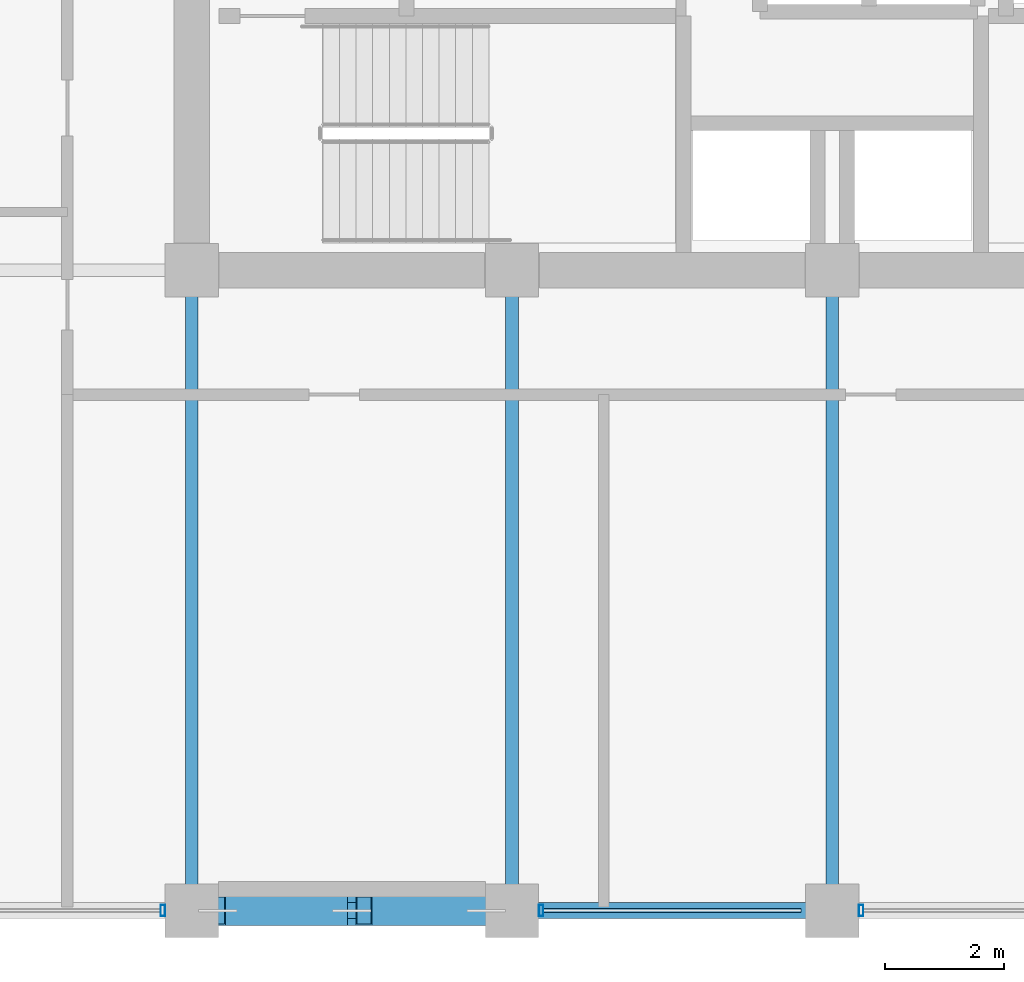
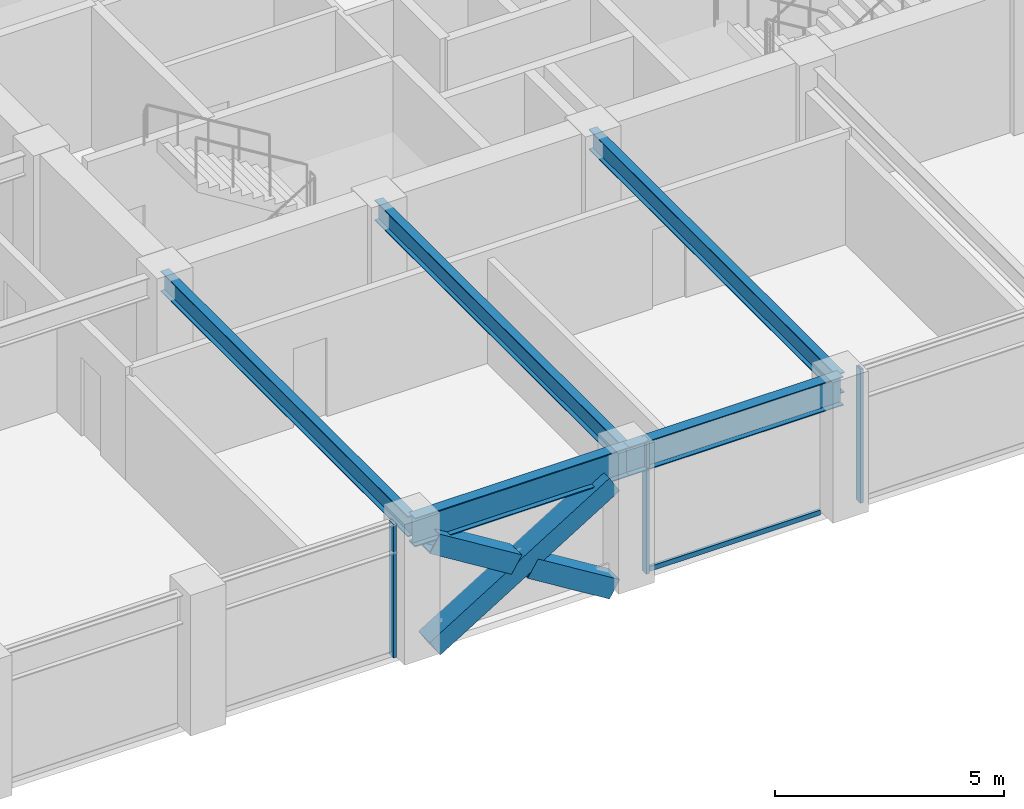
# One storey, part 4 of 28: 7 members, 5 beams, 2 elements without a shape of their own.
"""IFC4 building model written with IfcOpenShell, lengths in metres."""

from ifc_helpers import new_model, si_unit, direction, frame, origin, origin_2d, place, context, subcontext, project, spatial, hollow_rectangle, i_section, extrude, material, layer, layer_set, material_profile, profile_set, type_object, element, aggregate, save


model = new_model("IFC4")

# Units and contexts
model_context = context("Model", 3, precision=1e-05, world=origin(), true_north=direction((0.0, 1.0)))
body_context = subcontext(model_context, "Body", "Model", "MODEL_VIEW")
ifc_project = project(units=[si_unit("LENGTHUNIT", "METRE"), si_unit("AREAUNIT", "SQUARE_METRE"), si_unit("VOLUMEUNIT", "CUBIC_METRE"), si_unit("PLANEANGLEUNIT", "RADIAN"), si_unit("MASSUNIT", "GRAM", prefix="KILO")], contexts=[model_context])

# Site, building, storey
site_placement = place(None, origin())
site = spatial("IfcSite", under=ifc_project, at=site_placement, CompositionType="ELEMENT")
building_placement = place(site_placement, origin())
building = spatial("IfcBuilding", under=site, at=building_placement, Name="Surkhivell Harbour Commons", CompositionType="ELEMENT")
storey_placement = place(building_placement, frame((0.0, 0.0, 178.5)))
storey = spatial("IfcBuildingStorey", under=building, at=storey_placement, Name="L46", CompositionType="ELEMENT", Elevation=178.5)

# Beams
ifc_material_1 = material(Name="Steel S355", Category="steel")
ifc_material_profile_1 = material_profile(ifc_material_1, i_section(OverallWidth=0.2119140625, OverallDepth=0.5439453125, WebThickness=0.0126953125, FlangeThickness=0.021240234375, at=origin_2d()), Name="UB533x210x122")
ifc_profile_set_1 = profile_set([ifc_material_profile_1], Name="Steel S355")
beam_type_1 = type_object("IfcBeamType", Name="BM-GRD-533A", PredefinedType="BEAM", material=ifc_profile_set_1)
for number, where, z_axis, x_axis, name in (
    (1, (-10.800048828125, -21.60009765625, 3.298095703125), (0.0, 1.0, 0.0), (-1.0, 0.0, 0.0), "L46 Floor Girder (-10.8,-21.6)"),
    (2, (-5.39990234375, -21.60009765625, 3.298095703125), (0.0, 1.0, 0.0), (-1.0, 0.0, 0.0), "L46 Floor Girder (-5.4,-21.6)"),
    (3, (0.0, -21.60009765625, 3.298095703125), (0.0, 1.0, 0.0), (-1.0, 0.0, 0.0), "L46 Floor Girder (0.0,-21.6)"),
):
    element("IfcBeam", number, at=place(storey_placement, frame(where, z_axis=z_axis, x_axis=x_axis)), inside=storey, type_object=beam_type_1, Name=name, PredefinedType="BEAM", context=body_context, shape_type="SweptSolid", body=[
        extrude(i_section(OverallWidth=0.2119140625, OverallDepth=0.5439453125, WebThickness=0.0126953125, FlangeThickness=0.021240234375, at=origin_2d()), origin(), (0.0, 0.0, 1.0), 10.800048828125),
    ])
ifc_material_profile_2 = material_profile(ifc_material_1, i_section(OverallWidth=0.26806640625, OverallDepth=0.77001953125, WebThickness=0.015625, FlangeThickness=0.025390625, at=origin_2d()), Name="UB762x267x197")
ifc_profile_set_2 = profile_set([ifc_material_profile_2], Name="Steel S355")
beam_type_2 = type_object("IfcBeamType", Name="BM-SPN-762", PredefinedType="SPANDREL", material=ifc_profile_set_2)
beam_1_placement = place(storey_placement, frame((-10.800048828125, -21.60009765625, 3.18505859375), z_axis=(1.0, 0.0, 0.0), x_axis=(0.0, 1.0, 0.0)))
element("IfcBeam", 4, at=beam_1_placement, inside=storey, type_object=beam_type_2, Name="L46 Tube Spandrel (-10.8,-21.6)", PredefinedType="SPANDREL", context=body_context, shape_type="SweptSolid", body=[
    extrude(i_section(OverallWidth=0.26806640625, OverallDepth=0.77001953125, WebThickness=0.015625, FlangeThickness=0.025390625, at=origin_2d()), origin(), (0.0, 0.0, 1.0), 5.400146484375),
])
beam_2_placement = place(storey_placement, frame((-5.39990234375, -21.60009765625, 3.18505859375), z_axis=(1.0, 0.0, 0.0), x_axis=(0.0, 1.0, 0.0)))
element("IfcBeam", 5, at=beam_2_placement, inside=storey, type_object=beam_type_2, Name="L46 Tube Spandrel (-5.4,-21.6)", PredefinedType="SPANDREL", context=body_context, shape_type="SweptSolid", body=[
    extrude(i_section(OverallWidth=0.26806640625, OverallDepth=0.77001953125, WebThickness=0.015625, FlangeThickness=0.025390625, at=origin_2d()), origin(), (0.0, 0.0, 1.0), 5.39990234375),
])

# Curtain wall, member
ifc_material_2 = material(Name="Anodised pale-metal aluminium and insulated glazing", Category="aluminium")
ifc_layer = layer(ifc_material_2, 0.18994140625)
ifc_layer_set = layer_set([ifc_layer], Name="Anodised pale-metal aluminium and insulated glazing")
curtain_wall_type = type_object("IfcCurtainWallType", Name="CW-SYS-Z3", PredefinedType="NOTDEFINED", material=ifc_layer_set)
curtain_wall_1_placement = place(storey_placement, origin())
curtain_wall_1 = element("IfcCurtainWall", 6, at=curtain_wall_1_placement, inside=storey, type_object=curtain_wall_type, Name="L46 Curtain Wall CW-L46-E00S1", PredefinedType="NOTDEFINED")
ifc_material_3 = material(Name="Anodised pale-metal aluminium alloy 6063-T6", Category="aluminium")
ifc_material_profile_3 = material_profile(ifc_material_3, hollow_rectangle(XDim=0.074951171875, YDim=0.18994140625, WallThickness=0.00390625, at=origin_2d()), Name="ALU-MULL-75x190")
ifc_profile_set_3 = profile_set([ifc_material_profile_3], Name="Anodised pale-metal aluminium alloy 6063-T6")
member_type_1 = type_object("IfcMemberType", Name="CWM-190", PredefinedType="MULLION", material=ifc_profile_set_3)
member_1_placement = place(storey_placement, frame((-11.28955078125, -21.60009765625, 0.0), z_axis=(0.0, 0.0, 1.0), x_axis=(1.0, 0.0, 0.0)))
member_1 = element("IfcMember", 7, at=member_1_placement, type_object=member_type_1, Name="CW-Z3 mullion 3", PredefinedType="MULLION", context=body_context, shape_type="SweptSolid", body=[
    extrude(hollow_rectangle(XDim=0.074951171875, YDim=0.18994140625, WallThickness=0.00390625, at=origin_2d()), origin(), (0.0, 0.0, 1.0), 3.570068359375),
])
aggregate(curtain_wall_1, [member_1])

# Curtain wall, members
curtain_wall_2_placement = place(storey_placement, origin())
curtain_wall_2 = element("IfcCurtainWall", 8, at=curtain_wall_2_placement, inside=storey, type_object=curtain_wall_type, Name="L46 Curtain Wall CW-L46-E00S2", PredefinedType="NOTDEFINED")
member_2_placement = place(storey_placement, frame((-4.910400390625, -21.60009765625, 0.0), z_axis=(0.0, 0.0, 1.0), x_axis=(1.0, 0.0, 0.0)))
member_2 = element("IfcMember", 9, at=member_2_placement, type_object=member_type_1, Name="CW-Z3 mullion 1", PredefinedType="MULLION", context=body_context, shape_type="SweptSolid", body=[
    extrude(hollow_rectangle(XDim=0.074951171875, YDim=0.18994140625, WallThickness=0.00390625, at=origin_2d()), origin(), (0.0, 0.0, 1.0), 3.570068359375),
])
member_3_placement = place(storey_placement, frame((0.489501953125, -21.60009765625, 0.0), z_axis=(0.0, 0.0, 1.0), x_axis=(1.0, 0.0, 0.0)))
member_3 = element("IfcMember", 10, at=member_3_placement, type_object=member_type_1, Name="CW-Z3 mullion 2", PredefinedType="MULLION", context=body_context, shape_type="SweptSolid", body=[
    extrude(hollow_rectangle(XDim=0.074951171875, YDim=0.18994140625, WallThickness=0.00390625, at=origin_2d()), origin(), (0.0, 0.0, 1.0), 3.570068359375),
])
ifc_material_4 = material(Name="Champagne anodised aluminium alloy 6063-T6", Category="aluminium")
ifc_material_profile_4 = material_profile(ifc_material_4, hollow_rectangle(XDim=0.070068359375, YDim=0.1298828125, WallThickness=0.00341796875, at=origin_2d()), Name="ALU-TRAN-70x130")
ifc_profile_set_4 = profile_set([ifc_material_profile_4], Name="Champagne anodised aluminium alloy 6063-T6")
member_type_2 = type_object("IfcMemberType", Name="CWT-130", PredefinedType="USERDEFINED", material=ifc_profile_set_4)
member_4_placement = place(storey_placement, frame((-4.873046875, -21.60009765625, 0.06494140625), z_axis=(1.0, 0.0, 0.0), x_axis=(0.0, 1.0, 0.0)))
member_4 = element("IfcMember", 11, at=member_4_placement, type_object=member_type_2, Name="CW-Z3 transom 1.1", ObjectType="TRANSOM", PredefinedType="USERDEFINED", context=body_context, shape_type="SweptSolid", body=[
    extrude(hollow_rectangle(XDim=0.070068359375, YDim=0.1298828125, WallThickness=0.00341796875, at=origin_2d()), origin(), (0.0, 0.0, 1.0), 4.345947265625),
])
aggregate(curtain_wall_2, [member_2, member_4, member_3])

# Members
ifc_material_5 = material(Name="Steel S460", Category="steel")
ifc_material_profile_5 = material_profile(ifc_material_5, hollow_rectangle(XDim=0.5, YDim=0.5, WallThickness=0.02490234375, at=origin_2d()), Name="SHS500x500x25")
ifc_profile_set_5 = profile_set([ifc_material_profile_5], Name="Steel S460")
member_type_3 = type_object("IfcMemberType", Name="MEM-BRC-SHS500", PredefinedType="BRACE", material=ifc_profile_set_5)
member_5_placement = place(storey_placement, frame((-10.364990234375, -21.60009765625, 0.008056640625), z_axis=(0.850971032488, 0.0, 0.525212625387), x_axis=(0.0, 1.0, 0.0)))
element("IfcMember", 12, at=member_5_placement, inside=storey, type_object=member_type_3, Name="L46 Perimeter Mega-Brace MB- 07", PredefinedType="BRACE", context=body_context, shape_type="SweptSolid", body=[
    extrude(hollow_rectangle(XDim=0.5, YDim=0.5, WallThickness=0.02490234375, at=origin_2d()), origin(), (0.0, 0.0, 1.0), 5.323486328125),
])
for number, where, z_axis, x_axis, name in (
    (13, (-5.8349609375, -21.60009765625, 0.008056640625), (-0.8510034189, 0.0, 0.525160147974), (0.0, -1.0, 0.0), "L46 Perimeter Mega-Brace MB- 08"),
    (14, (-8.30419921875, -21.60009765625, 1.531982421875), (-0.850958361341, 0.0, 0.525233155146), (0.0, -1.0, 0.0), "L46 Perimeter Mega-Brace MB- 09"),
):
    element("IfcMember", number, at=place(storey_placement, frame(where, z_axis=z_axis, x_axis=x_axis)), inside=storey, type_object=member_type_3, Name=name, PredefinedType="BRACE", context=body_context, shape_type="SweptSolid", body=[
        extrude(hollow_rectangle(XDim=0.5, YDim=0.5, WallThickness=0.02490234375, at=origin_2d()), origin(), (0.0, 0.0, 1.0), 2.421630859375),
    ])

save(model, "model.ifc")
